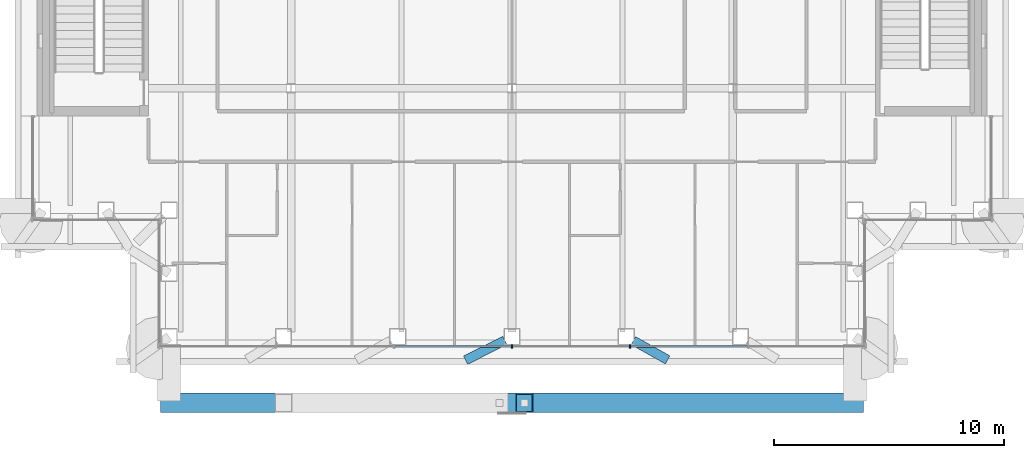
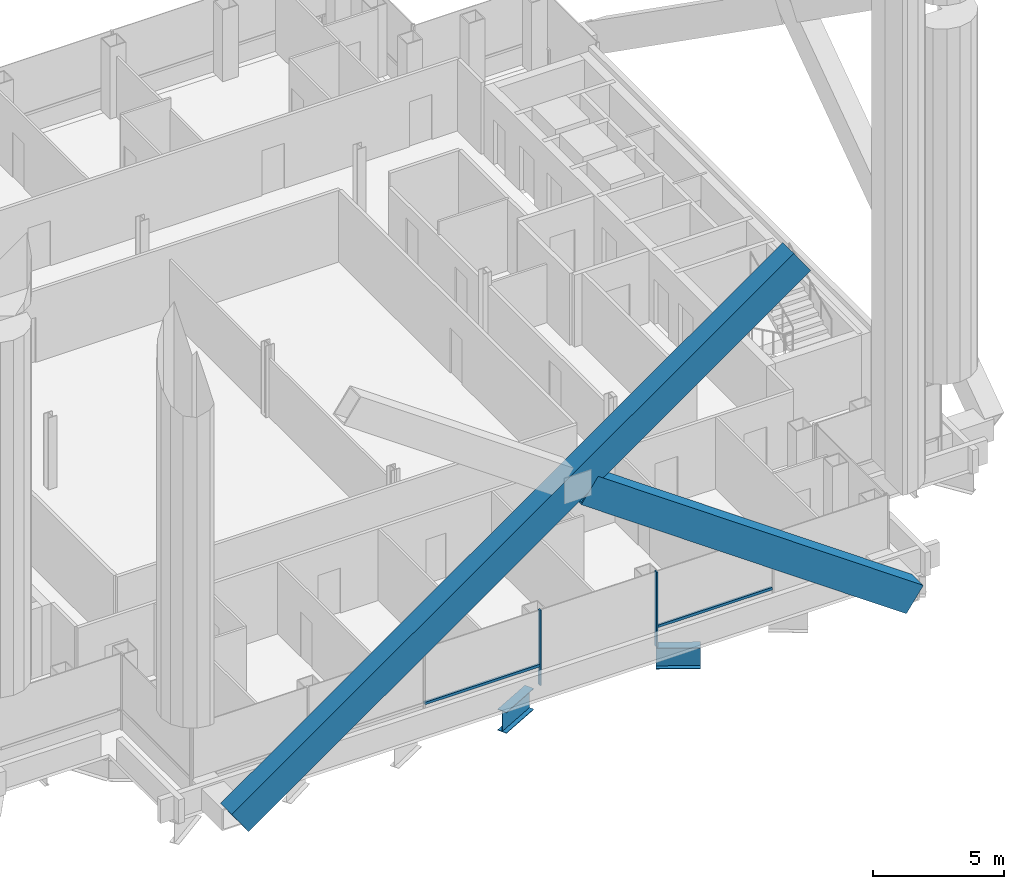
# One storey, part 4 of 22: 6 members, 2 beams, 1 element without a shape of its own.
"""IFC4 building model written with IfcOpenShell, lengths in metres."""

from ifc_helpers import new_model, si_unit, direction, frame, origin, origin_2d, place, context, subcontext, project, spatial, rectangle, hollow_rectangle, i_section, extrude, material, material_profile, profile_set, type_object, element, aggregate, save


model = new_model("IFC4")

# Units and contexts
model_context = context("Model", 3, precision=1e-05, world=origin(), true_north=direction((0.0, 1.0)))
body_context = subcontext(model_context, "Body", "Model", "MODEL_VIEW")
ifc_project = project(units=[si_unit("LENGTHUNIT", "METRE"), si_unit("AREAUNIT", "SQUARE_METRE"), si_unit("VOLUMEUNIT", "CUBIC_METRE"), si_unit("PLANEANGLEUNIT", "RADIAN"), si_unit("MASSUNIT", "GRAM", prefix="KILO")], contexts=[model_context])

# Site, building, storey
site_placement = place(None, origin())
site = spatial("IfcSite", under=ifc_project, at=site_placement, CompositionType="ELEMENT")
building_placement = place(site_placement, origin())
building = spatial("IfcBuilding", under=site, at=building_placement, Name="Cobrizo Arcos Hotel Tower", CompositionType="ELEMENT")
storey_placement = place(building_placement, frame((0.0, 0.0, 191.0)))
storey = spatial("IfcBuildingStorey", under=building, at=storey_placement, Name="L49", CompositionType="ELEMENT", Elevation=191.0)

# Members
ifc_material_1 = material(Name="Steel ASTM A572 Grade 50", Category="steel")
ifc_material_profile_1 = material_profile(ifc_material_1, hollow_rectangle(XDim=0.85009765625, YDim=1.300048828125, WallThickness=0.06005859375, at=origin_2d()), Name="BOX 850X1300X60")
ifc_profile_set_1 = profile_set([ifc_material_profile_1], Name="Steel ASTM A572 Grade 50")
member_type_1 = type_object("IfcMemberType", Name="BOX 850X1300X60 perimeter brace", PredefinedType="BRACE", material=ifc_profile_set_1)
member_1_placement = place(storey_placement, frame((-14.89990234375, -23.27490234375, 0.5), z_axis=(0.81742283515, 0.0, 0.576038113821), x_axis=(0.0, 1.0, 0.0)))
element("IfcMember", 1, at=member_1_placement, inside=storey, type_object=member_type_1, Name="Perimeter brace PBR4, zone Z4, south face, no. 00", PredefinedType="BRACE", context=body_context, shape_type="SweptSolid", body=[
    extrude(hollow_rectangle(XDim=0.85009765625, YDim=1.300048828125, WallThickness=0.06005859375, at=origin_2d()), origin(), (0.0, 0.0, 1.0), 30.3798828125),
])
member_2_placement = place(storey_placement, frame((14.89990234375, -23.27490234375, 0.5), z_axis=(-0.817421308529, 0.0, 0.576040280157), x_axis=(0.0, -1.0, 0.0)))
element("IfcMember", 2, at=member_2_placement, inside=storey, type_object=member_type_1, Name="Perimeter brace PBR4, zone Z4, south face, no. 01", PredefinedType="BRACE", context=body_context, shape_type="SweptSolid", body=[
    extrude(hollow_rectangle(XDim=0.85009765625, YDim=1.300048828125, WallThickness=0.06005859375, at=origin_2d()), origin(), (0.0, 0.0, 1.0), 17.567626953125),
])

# Curtain wall, members
ifc_material_2 = material(Name="Aluminium 6063-T6 anodised bronze", Category="aluminium")
curtain_wall_type = type_object("IfcCurtainWallType", Name="CW-A guest facade", PredefinedType="NOTDEFINED", material=ifc_material_2)
curtain_wall_placement = place(storey_placement, origin())
curtain_wall = element("IfcCurtainWall", 3, at=curtain_wall_placement, inside=storey, type_object=curtain_wall_type, Name="CW-A L49 S face", PredefinedType="NOTDEFINED")
ifc_material_profile_2 = material_profile(ifc_material_2, rectangle(XDim=0.14990234375, YDim=0.06005859375, at=origin_2d()), Name="CW-A mullion 150x60")
ifc_profile_set_2 = profile_set([ifc_material_profile_2], Name="Aluminium 6063-T6 anodised bronze")
member_type_2 = type_object("IfcMemberType", Name="CW-A mullion 150x60", PredefinedType="MULLION", material=ifc_profile_set_2)
member_3_placement = place(storey_placement, frame((0.0, -20.824951171875, 0.0), z_axis=(0.0, 0.0, 1.0), x_axis=(0.0, -1.0, 0.0)))
member_3 = element("IfcMember", 4, at=member_3_placement, type_object=member_type_2, Name="CW-A mullion 4", PredefinedType="MULLION", context=body_context, shape_type="SweptSolid", body=[
    extrude(rectangle(XDim=0.14990234375, YDim=0.06005859375, at=origin_2d()), origin(), (0.0, 0.0, 1.0), 3.5),
])
member_4_placement = place(storey_placement, frame((5.13330078125, -20.824951171875, 0.0), z_axis=(0.0, 0.0, 1.0), x_axis=(0.0, -1.0, 0.0)))
member_4 = element("IfcMember", 5, at=member_4_placement, type_object=member_type_2, Name="CW-A mullion 5", PredefinedType="MULLION", context=body_context, shape_type="SweptSolid", body=[
    extrude(rectangle(XDim=0.14990234375, YDim=0.06005859375, at=origin_2d()), origin(), (0.0, 0.0, 1.0), 3.5),
])
ifc_material_profile_3 = material_profile(ifc_material_2, rectangle(XDim=0.10009765625, YDim=0.1201171875, at=origin_2d()), Name="CW-A transom 120x100")
ifc_profile_set_3 = profile_set([ifc_material_profile_3], Name="Aluminium 6063-T6 anodised bronze")
member_type_3 = type_object("IfcMemberType", Name="CW-A transom 120x100", PredefinedType="USERDEFINED", material=ifc_profile_set_3)
member_5_placement = place(storey_placement, frame((-5.103271484375, -20.824951171875, 0.929931640625), z_axis=(1.0, 0.0, 0.0), x_axis=(0.0, 1.0, 0.0)))
member_5 = element("IfcMember", 6, at=member_5_placement, type_object=member_type_3, Name="CW-A transom 1698", ObjectType="TRANSOM", PredefinedType="USERDEFINED", context=body_context, shape_type="SweptSolid", body=[
    extrude(rectangle(XDim=0.10009765625, YDim=0.1201171875, at=origin_2d()), origin(), (0.0, 0.0, 1.0), 5.0732421875),
])
member_6_placement = place(storey_placement, frame((5.163330078125, -20.824951171875, 0.929931640625), z_axis=(1.0, 0.0, 0.0), x_axis=(0.0, 1.0, 0.0)))
member_6 = element("IfcMember", 7, at=member_6_placement, type_object=member_type_3, Name="CW-A transom 1700", ObjectType="TRANSOM", PredefinedType="USERDEFINED", context=body_context, shape_type="SweptSolid", body=[
    extrude(rectangle(XDim=0.10009765625, YDim=0.1201171875, at=origin_2d()), origin(), (0.0, 0.0, 1.0), 5.0732421875),
])
aggregate(curtain_wall, [member_3, member_4, member_5, member_6])

# Beams
ifc_material_3 = material(Name="Steel ASTM A992 Grade 50", Category="steel")
ifc_material_profile_4 = material_profile(ifc_material_3, i_section(OverallWidth=0.4013671875, OverallDepth=0.990478515625, WebThickness=0.0166015625, FlangeThickness=0.025390625, at=origin_2d()), Name="W40X215")
ifc_profile_set_4 = profile_set([ifc_material_profile_4], Name="Steel ASTM A992 Grade 50")
beam_type = type_object("IfcBeamType", Name="W40X215 transfer girder", PredefinedType="BEAM", material=ifc_profile_set_4)
beam_1_placement = place(storey_placement, frame((-2.01416015625, -21.41943359375, -0.645263671875), z_axis=(0.892240719632, 0.451560071563, 0.0), x_axis=(-0.451560071563, 0.892240719632, 0.0)))
element("IfcBeam", 8, at=beam_1_placement, inside=storey, type_object=beam_type, Name="Setback transfer girder TG1, L49, no. 008", PredefinedType="BEAM", context=body_context, shape_type="SweptSolid", body=[
    extrude(i_section(OverallWidth=0.4013671875, OverallDepth=0.990478515625, WebThickness=0.0166015625, FlangeThickness=0.025390625, at=origin_2d()), origin(), (0.0, 0.0, 1.0), 1.907470703125),
])
beam_2_placement = place(storey_placement, frame((6.764892578125, -21.40478515625, -0.645263671875), z_axis=(-0.872948847751, 0.487811755916, 0.0), x_axis=(-0.487811755916, -0.872948847751, 0.0)))
element("IfcBeam", 9, at=beam_2_placement, inside=storey, type_object=beam_type, Name="Setback transfer girder TG1, L49, no. 010", PredefinedType="BEAM", context=body_context, shape_type="SweptSolid", body=[
    extrude(i_section(OverallWidth=0.4013671875, OverallDepth=0.990478515625, WebThickness=0.0166015625, FlangeThickness=0.025390625, at=origin_2d()), origin(), (0.0, 0.0, 1.0), 1.709716796875),
])

save(model, "model.ifc")
